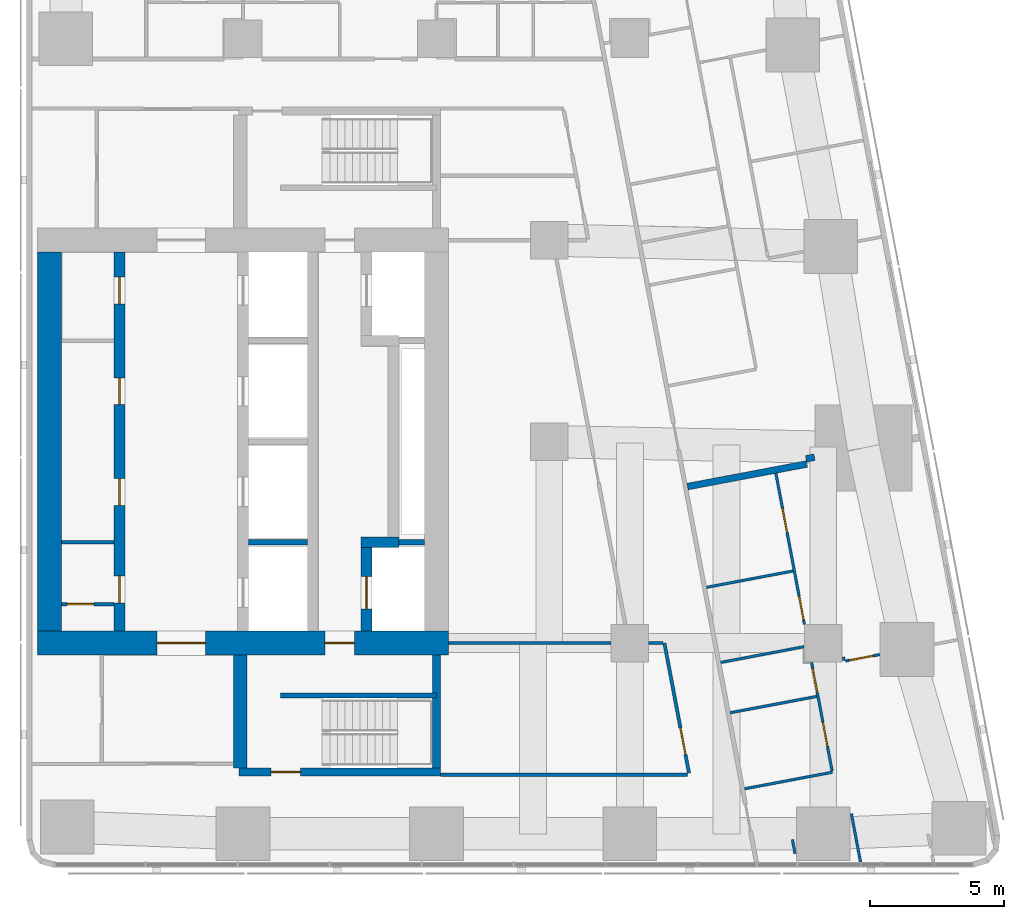
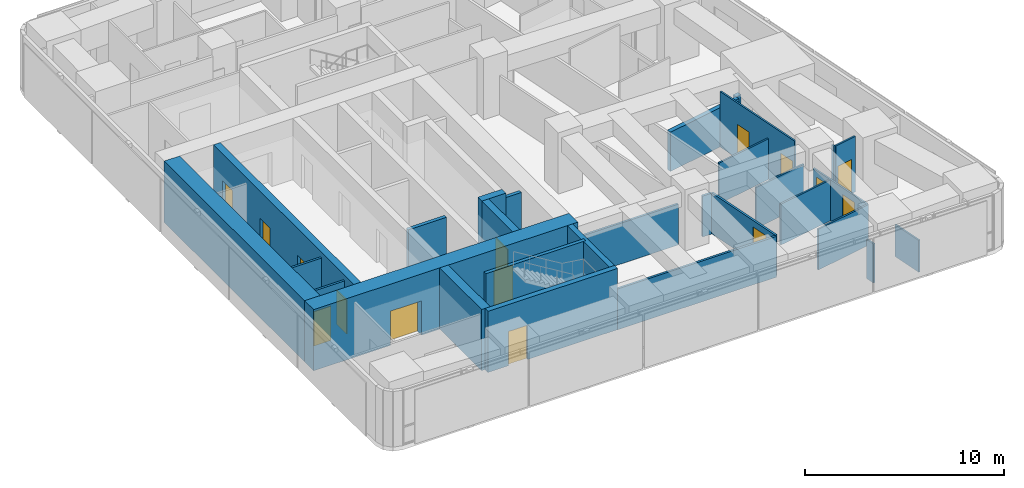
# One storey, part 5 of 10: 29 walls, 15 doors, 15 openings.
"""IFC4 building model written with IfcOpenShell, lengths in metres."""

from ifc_helpers import new_model, si_unit, direction, frame, frame_2d, origin, place, context, subcontext, project, spatial, rectangle, extrude, material, layer, layer_set, type_object, element, fill, save


model = new_model("IFC4")

# Units and contexts
model_context = context("Model", 3, precision=1e-05, world=origin(), true_north=direction((0.0, 1.0)))
body_context = subcontext(model_context, "Body", "Model", "MODEL_VIEW")
ifc_project = project(units=[si_unit("LENGTHUNIT", "METRE"), si_unit("AREAUNIT", "SQUARE_METRE"), si_unit("VOLUMEUNIT", "CUBIC_METRE"), si_unit("PLANEANGLEUNIT", "RADIAN"), si_unit("MASSUNIT", "GRAM", prefix="KILO")], contexts=[model_context])

# Site, building, storey
site_placement = place(None, origin())
site = spatial("IfcSite", under=ifc_project, at=site_placement, CompositionType="ELEMENT")
building_placement = place(site_placement, origin())
building = spatial("IfcBuilding", under=site, at=building_placement, Name="Sheger Commons Tower", CompositionType="ELEMENT")
storey_placement = place(building_placement, frame((0.0, 0.0, 292.85009765625)))
storey = spatial("IfcBuildingStorey", under=building, at=storey_placement, Name="L75", CompositionType="ELEMENT", Elevation=292.85009765625)

# Wall, openings, doors
ifc_material_1 = material(Name="Concrete C50/60", Category="concrete")
ifc_layer_1 = layer(ifc_material_1, 0.39990234375)
ifc_layer_set_1 = layer_set([ifc_layer_1], Name="CORE INNER WALL 400")
wall_type_1 = type_object("IfcWallType", Name="CORE INNER WALL 400", PredefinedType="SHEAR", material=ifc_layer_set_1)
wall_1_placement = place(storey_placement, frame((17.0, 15.449951171875, 0.0), z_axis=(0.0, 0.0, 1.0), x_axis=(0.0, 1.0, 0.0)))
wall_1 = element("IfcWall", 1, at=wall_1_placement, inside=storey, type_object=wall_type_1, Name="Core inner wall A L75", PredefinedType="SHEAR", context=body_context, shape_type="SweptSolid", body=[
    extrude(rectangle(XDim=14.10009765625, YDim=0.39990234375, at=frame_2d((7.050048828125, 0.0))), origin(), (0.0, 0.0, 1.0), 3.75),
])
opening_1_placement = place(wall_1_placement, frame((1.050048828125, 0.0, 0.0)))
opening_1 = element("IfcOpeningElement", 2, at=opening_1_placement, cuts=wall_1, Name="Opening D4", PredefinedType="OPENING", context=body_context, shape_type="SweptSolid", body=[
    extrude(rectangle(XDim=1.0, YDim=2.10009765625, at=frame_2d((0.5, 1.050048828125))), frame((0.0, 0.2099609375, 0.0), z_axis=(0.0, -1.0, 0.0), x_axis=(1.0, 0.0, 0.0)), (0.0, 0.0, 1.0), 0.419921875),
])
opening_2_placement = place(wall_1_placement, frame((4.675048828125, 0.0, 0.0)))
opening_2 = element("IfcOpeningElement", 3, at=opening_2_placement, cuts=wall_1, Name="Opening D4", PredefinedType="OPENING", context=body_context, shape_type="SweptSolid", body=[
    extrude(rectangle(XDim=1.0, YDim=2.10009765625, at=frame_2d((0.5, 1.050048828125))), frame((0.0, 0.2099609375, 0.0), z_axis=(0.0, -1.0, 0.0), x_axis=(1.0, 0.0, 0.0)), (0.0, 0.0, 1.0), 0.419921875),
])
opening_3_placement = place(wall_1_placement, frame((8.425048828125, 0.0, 0.0)))
opening_3 = element("IfcOpeningElement", 4, at=opening_3_placement, cuts=wall_1, Name="Opening D4", PredefinedType="OPENING", context=body_context, shape_type="SweptSolid", body=[
    extrude(rectangle(XDim=1.0, YDim=2.10009765625, at=frame_2d((0.5, 1.050048828125))), frame((0.0, 0.2099609375, 0.0), z_axis=(0.0, -1.0, 0.0), x_axis=(1.0, 0.0, 0.0)), (0.0, 0.0, 1.0), 0.419921875),
])
opening_4_placement = place(wall_1_placement, frame((12.175048828125, 0.0, 0.0)))
opening_4 = element("IfcOpeningElement", 5, at=opening_4_placement, cuts=wall_1, Name="Opening D4", PredefinedType="OPENING", context=body_context, shape_type="SweptSolid", body=[
    extrude(rectangle(XDim=1.0, YDim=2.10009765625, at=frame_2d((0.5, 1.050048828125))), frame((0.0, 0.2099609375, 0.0), z_axis=(0.0, -1.0, 0.0), x_axis=(1.0, 0.0, 0.0)), (0.0, 0.0, 1.0), 0.419921875),
])
ifc_material_2 = material(Name="Steel door set, fire rated", Category="steel")
door_type_1 = type_object("IfcDoorType", Name="SERVICE DOOR 1000x2100", OperationType="NOTDEFINED", PredefinedType="DOOR", material=ifc_material_2)
door_1_placement = place(opening_1_placement, origin())
door_1 = element("IfcDoor", 6, at=door_1_placement, inside=storey, type_object=door_type_1, Name="IT and telecom room door", OperationType="SINGLE_SWING_LEFT", OverallHeight=2.10009765625, OverallWidth=1.0, PredefinedType="DOOR", context=body_context, shape_type="SweptSolid", body=[
    extrude(rectangle(XDim=1.0, YDim=2.10009765625, at=frame_2d((0.5, 1.050048828125))), frame((0.0, 0.02490234375, 0.0), z_axis=(0.0, -1.0, 0.0), x_axis=(1.0, 0.0, 0.0)), (0.0, 0.0, 1.0), 0.050048828125),
])
fill(opening_1, door_1)
door_2_placement = place(opening_2_placement, origin())
door_2 = element("IfcDoor", 7, at=door_2_placement, inside=storey, type_object=door_type_1, Name="Recycling store door", OperationType="SINGLE_SWING_LEFT", OverallHeight=2.10009765625, OverallWidth=1.0, PredefinedType="DOOR", context=body_context, shape_type="SweptSolid", body=[
    extrude(rectangle(XDim=1.0, YDim=2.10009765625, at=frame_2d((0.5, 1.050048828125))), frame((0.0, 0.02490234375, 0.0), z_axis=(0.0, -1.0, 0.0), x_axis=(1.0, 0.0, 0.0)), (0.0, 0.0, 1.0), 0.050048828125),
])
fill(opening_2, door_2)
door_3_placement = place(opening_3_placement, origin())
door_3 = element("IfcDoor", 8, at=door_3_placement, inside=storey, type_object=door_type_1, Name="Recycling store door", OperationType="SINGLE_SWING_RIGHT", OverallHeight=2.10009765625, OverallWidth=1.0, PredefinedType="DOOR", context=body_context, shape_type="SweptSolid", body=[
    extrude(rectangle(XDim=1.0, YDim=2.10009765625, at=frame_2d((0.5, 1.050048828125))), frame((0.0, 0.02490234375, 0.0), z_axis=(0.0, -1.0, 0.0), x_axis=(1.0, 0.0, 0.0)), (0.0, 0.0, 1.0), 0.050048828125),
])
fill(opening_3, door_3)
door_4_placement = place(opening_4_placement, origin())
door_4 = element("IfcDoor", 9, at=door_4_placement, inside=storey, type_object=door_type_1, Name="Staff WC door", OperationType="SINGLE_SWING_RIGHT", OverallHeight=2.10009765625, OverallWidth=1.0, PredefinedType="DOOR", context=body_context, shape_type="SweptSolid", body=[
    extrude(rectangle(XDim=1.0, YDim=2.10009765625, at=frame_2d((0.5, 1.050048828125))), frame((0.0, 0.02490234375, 0.0), z_axis=(0.0, -1.0, 0.0), x_axis=(1.0, 0.0, 0.0)), (0.0, 0.0, 1.0), 0.050048828125),
])
fill(opening_4, door_4)

# Wall, opening, door
wall_2_placement = place(storey_placement, frame((26.199951171875, 15.449951171875, 0.0), z_axis=(0.0, 0.0, 1.0), x_axis=(0.0, 1.0, 0.0)))
wall_2 = element("IfcWall", 10, at=wall_2_placement, inside=storey, type_object=wall_type_1, Name="Core inner wall F L75", PredefinedType="SHEAR", context=body_context, shape_type="SweptSolid", body=[
    extrude(rectangle(XDim=3.10009765625, YDim=0.39990234375, at=frame_2d((1.550048828125, 0.0))), origin(), (0.0, 0.0, 1.0), 3.75),
])
opening_5_placement = place(wall_2_placement, frame((0.824951171875, 0.0, 0.0)))
opening_5 = element("IfcOpeningElement", 11, at=opening_5_placement, cuts=wall_2, Name="Opening LD2", PredefinedType="OPENING", context=body_context, shape_type="SweptSolid", body=[
    extrude(rectangle(XDim=1.199951171875, YDim=2.10009765625, at=frame_2d((0.60009765625, 1.050048828125))), frame((0.0, 0.2099609375, 0.0), z_axis=(0.0, -1.0, 0.0), x_axis=(1.0, 0.0, 0.0)), (0.0, 0.0, 1.0), 0.419921875),
])
ifc_material_3 = material(Name="Steel door set, fire rated", Category="steel")
door_type_2 = type_object("IfcDoorType", Name="FIREFIGHTING LIFT LANDING DOOR 1200x2100", OperationType="DOUBLE_DOOR_SLIDING", PredefinedType="DOOR", material=ifc_material_3)
door_5_placement = place(opening_5_placement, origin())
door_5 = element("IfcDoor", 12, at=door_5_placement, inside=storey, type_object=door_type_2, Name="Lift FL1 landing door", OperationType="DOUBLE_DOOR_SLIDING", OverallHeight=2.10009765625, OverallWidth=1.199951171875, PredefinedType="DOOR", context=body_context, shape_type="SweptSolid", body=[
    extrude(rectangle(XDim=1.199951171875, YDim=2.10009765625, at=frame_2d((0.60009765625, 1.050048828125))), frame((0.0, 0.02490234375, 0.0), z_axis=(0.0, -1.0, 0.0), x_axis=(1.0, 0.0, 0.0)), (0.0, 0.0, 1.0), 0.050048828125),
])
fill(opening_5, door_5)

# Wall
wall_3_placement = place(storey_placement, frame((26.0, 18.75, 0.0), z_axis=(0.0, 0.0, 1.0), x_axis=(1.0, 0.0, 0.0)))
element("IfcWall", 13, at=wall_3_placement, inside=storey, type_object=wall_type_1, Name="Core inner wall F south return L75", PredefinedType="SHEAR", context=body_context, shape_type="SweptSolid", body=[
    extrude(rectangle(XDim=1.39990234375, YDim=0.39990234375, at=frame_2d((0.699951171875, 0.0))), origin(), (0.0, 0.0, 1.0), 3.75),
])

# Wall, openings, doors
ifc_material_4 = material(Name="Concrete C50/60", Category="concrete")
ifc_layer_2 = layer(ifc_material_4, 0.89990234375)
ifc_layer_set_2 = layer_set([ifc_layer_2], Name="CORE WALL 900")
wall_type_2 = type_object("IfcWallType", Name="CORE WALL 900", PredefinedType="SHEAR", material=ifc_layer_set_2)
wall_4_placement = place(storey_placement, frame((13.949951171875, 15.0, 0.0), z_axis=(0.0, 0.0, 1.0), x_axis=(1.0, 0.0, 0.0)))
wall_4 = element("IfcWall", 14, at=wall_4_placement, inside=storey, type_object=wall_type_2, Name="Core wall south L75", PredefinedType="SHEAR", context=body_context, shape_type="SweptSolid", body=[
    extrude(rectangle(XDim=15.300048828125, YDim=0.89990234375, at=frame_2d((7.64990234375, 0.0))), origin(), (0.0, 0.0, 1.0), 3.75),
])
opening_6_placement = place(wall_4_placement, frame((4.449951171875, 0.0, 0.0)))
opening_6 = element("IfcOpeningElement", 15, at=opening_6_placement, cuts=wall_4, Name="Opening D6", PredefinedType="OPENING", context=body_context, shape_type="SweptSolid", body=[
    extrude(rectangle(XDim=1.800048828125, YDim=2.10009765625, at=frame_2d((0.89990234375, 1.050048828125))), frame((0.0, 0.4599609375, 0.0), z_axis=(0.0, -1.0, 0.0), x_axis=(1.0, 0.0, 0.0)), (0.0, 0.0, 1.0), 0.919921875),
])
opening_7_placement = place(wall_4_placement, frame((10.699951171875, 0.0, 0.0)))
opening_7 = element("IfcOpeningElement", 16, at=opening_7_placement, cuts=wall_4, Name="Opening D5", PredefinedType="OPENING", context=body_context, shape_type="SweptSolid", body=[
    extrude(rectangle(XDim=1.10009765625, YDim=2.10009765625, at=frame_2d((0.550048828125, 1.050048828125))), frame((0.0, 0.4599609375, 0.0), z_axis=(0.0, -1.0, 0.0), x_axis=(1.0, 0.0, 0.0)), (0.0, 0.0, 1.0), 0.919921875),
])
ifc_material_5 = material(Name="Steel door set, fire rated", Category="steel")
door_type_3 = type_object("IfcDoorType", Name="LOBBY DOUBLE DOOR 1800x2100", OperationType="DOUBLE_DOOR_SINGLE_SWING", PredefinedType="DOOR", material=ifc_material_5)
door_6_placement = place(opening_6_placement, origin())
door_6 = element("IfcDoor", 17, at=door_6_placement, inside=storey, type_object=door_type_3, Name="Lift lobby door", OperationType="DOUBLE_DOOR_SINGLE_SWING", OverallHeight=2.10009765625, OverallWidth=1.800048828125, PredefinedType="DOOR", context=body_context, shape_type="SweptSolid", body=[
    extrude(rectangle(XDim=1.800048828125, YDim=2.10009765625, at=frame_2d((0.89990234375, 1.050048828125))), frame((0.0, 0.02490234375, 0.0), z_axis=(0.0, -1.0, 0.0), x_axis=(1.0, 0.0, 0.0)), (0.0, 0.0, 1.0), 0.050048828125),
])
fill(opening_6, door_6)
ifc_material_6 = material(Name="Steel door set, fire rated", Category="steel")
door_type_4 = type_object("IfcDoorType", Name="STAIR DOOR 1100x2100", OperationType="NOTDEFINED", PredefinedType="DOOR", material=ifc_material_6)
door_7_placement = place(opening_7_placement, origin())
door_7 = element("IfcDoor", 18, at=door_7_placement, inside=storey, type_object=door_type_4, Name="Fire-fighting lobby door", OperationType="SINGLE_SWING_RIGHT", OverallHeight=2.10009765625, OverallWidth=1.10009765625, PredefinedType="DOOR", context=body_context, shape_type="SweptSolid", body=[
    extrude(rectangle(XDim=1.10009765625, YDim=2.10009765625, at=frame_2d((0.550048828125, 1.050048828125))), frame((0.0, 0.02490234375, 0.0), z_axis=(0.0, -1.0, 0.0), x_axis=(1.0, 0.0, 0.0)), (0.0, 0.0, 1.0), 0.050048828125),
])
fill(opening_7, door_7)

# Walls
wall_5_placement = place(storey_placement, frame((14.39990234375, 15.449951171875, 0.0), z_axis=(0.0, 0.0, 1.0), x_axis=(0.0, 1.0, 0.0)))
element("IfcWall", 19, at=wall_5_placement, inside=storey, type_object=wall_type_2, Name="Core wall west L75", PredefinedType="SHEAR", context=body_context, shape_type="SweptSolid", body=[
    extrude(rectangle(XDim=14.10009765625, YDim=0.89990234375, at=frame_2d((7.050048828125, 0.0))), origin(), (0.0, 0.0, 1.0), 3.75),
])
ifc_material_7 = material(Name="Dense concrete block masonry, plastered both sides (separating wall between flats)", Category="masonry")
ifc_layer_3 = layer(ifc_material_7, 0.25)
ifc_layer_set_3 = layer_set([ifc_layer_3], Name="DEMISING WALL 250")
wall_type_3 = type_object("IfcWallType", Name="DEMISING WALL 250", PredefinedType="SOLIDWALL", material=ifc_layer_set_3)
wall_6_placement = place(storey_placement, frame((42.873046875, 21.91796875, 0.0), z_axis=(0.0, 0.0, 1.0), x_axis=(-0.982431406936, -0.186624035603, 0.0)))
element("IfcWall", 20, at=wall_6_placement, inside=storey, type_object=wall_type_3, Name="Demising wall L75", PredefinedType="SOLIDWALL", context=body_context, shape_type="SweptSolid", body=[
    extrude(rectangle(XDim=0.32177734375, YDim=0.25, at=frame_2d((0.160888671875, 0.0))), origin(), (0.0, 0.0, 1.0), 2.39990234375),
])
wall_7_placement = place(storey_placement, frame((42.593017578125, 21.6650390625, 0.0), z_axis=(0.0, 0.0, 1.0), x_axis=(-0.982612837616, -0.185666398014, 0.0)))
element("IfcWall", 21, at=wall_7_placement, inside=storey, type_object=wall_type_3, Name="Demising wall L75", PredefinedType="SOLIDWALL", context=body_context, shape_type="SweptSolid", body=[
    extrude(rectangle(XDim=4.524658203125, YDim=0.25, at=frame_2d((2.26220703125, 0.0))), origin(), (0.0, 0.0, 1.0), 2.39990234375),
])
ifc_material_8 = material(Name="Gypsum board on steel studs", Category="steel")
ifc_layer_4 = layer(ifc_material_8, 0.10009765625)
ifc_layer_set_4 = layer_set([ifc_layer_4], Name="PARTITION 100")
wall_type_4 = type_object("IfcWallType", Name="PARTITION 100", PredefinedType="PARTITIONING", material=ifc_layer_set_4)
wall_8_placement = place(storey_placement, frame((44.248046875, 8.64599609375, 0.0), z_axis=(0.0, 0.0, 1.0), x_axis=(0.185417594585, -0.982659816833, 0.0)))
element("IfcWall", 22, at=wall_8_placement, inside=storey, type_object=wall_type_4, Name="Partition L75", PredefinedType="PARTITIONING", context=body_context, shape_type="SweptSolid", body=[
    extrude(rectangle(XDim=1.82763671875, YDim=0.10009765625, at=frame_2d((0.913818359375, 0.0))), origin(), (0.0, 0.0, 1.0), 1.949951171875),
])
wall_9_placement = place(storey_placement, frame((42.15087890625, 7.159912109375, 0.0), z_axis=(0.0, 0.0, 1.0), x_axis=(-0.185366164644, 0.982669519729, 0.0)))
element("IfcWall", 23, at=wall_9_placement, inside=storey, type_object=wall_type_4, Name="Partition L75", PredefinedType="PARTITIONING", context=body_context, shape_type="SweptSolid", body=[
    extrude(rectangle(XDim=0.533447265625, YDim=0.10009765625, at=frame_2d((0.2666015625, 0.0))), origin(), (0.0, 0.0, 1.0), 2.39990234375),
])

# Wall, opening, door
wall_10_placement = place(storey_placement, frame((45.303955078125, 14.572021484375, 0.0), z_axis=(0.0, 0.0, 1.0), x_axis=(-0.982602741717, -0.185719821156, 0.0)))
wall_10 = element("IfcWall", 24, at=wall_10_placement, inside=storey, type_object=wall_type_4, Name="Partition L75", PredefinedType="PARTITIONING", context=body_context, shape_type="SweptSolid", body=[
    extrude(rectangle(XDim=1.29736328125, YDim=0.10009765625, at=frame_2d((0.648681640625, 0.0))), origin(), (0.0, 0.0, 1.0), 3.39990234375),
])
opening_8_placement = place(wall_10_placement, frame((0.248046875, 0.0, 0.0)))
opening_8 = element("IfcOpeningElement", 25, at=opening_8_placement, cuts=wall_10, Name="Opening D2", PredefinedType="OPENING", context=body_context, shape_type="SweptSolid", body=[
    extrude(rectangle(XDim=0.89990234375, YDim=2.10009765625, at=frame_2d((0.449951171875, 1.050048828125))), frame((0.0, 0.06005859375, 0.0), z_axis=(0.0, -1.0, 0.0), x_axis=(1.0, 0.0, 0.0)), (0.0, 0.0, 1.0), 0.1201171875),
])
ifc_material_9 = material(Name="Timber door set", Category="wood")
door_type_5 = type_object("IfcDoorType", Name="INTERNAL DOOR 900x2100", OperationType="NOTDEFINED", PredefinedType="DOOR", material=ifc_material_9)
door_8_placement = place(opening_8_placement, origin())
door_8 = element("IfcDoor", 26, at=door_8_placement, inside=storey, type_object=door_type_5, Name="Main bedroom door", OperationType="SINGLE_SWING_LEFT", OverallHeight=2.10009765625, OverallWidth=0.89990234375, PredefinedType="DOOR", context=body_context, shape_type="SweptSolid", body=[
    extrude(rectangle(XDim=0.89990234375, YDim=2.10009765625, at=frame_2d((0.449951171875, 1.050048828125))), frame((0.0, 0.02490234375, 0.0), z_axis=(0.0, -1.0, 0.0), x_axis=(1.0, 0.0, 0.0)), (0.0, 0.0, 1.0), 0.050048828125),
])
fill(opening_8, door_8)

# Walls
wall_11_placement = place(storey_placement, frame((43.948974609375, 14.485107421875, 0.0), z_axis=(0.0, 0.0, 1.0), x_axis=(0.188651210932, -0.982044154106, 0.0)))
element("IfcWall", 27, at=wall_11_placement, inside=storey, type_object=wall_type_4, Name="Partition L75", PredefinedType="PARTITIONING", context=body_context, shape_type="SweptSolid", body=[
    extrude(rectangle(XDim=0.138427734375, YDim=0.10009765625, at=frame_2d((0.0693359375, 0.0))), origin(), (0.0, 0.0, 1.0), 3.39990234375),
])
wall_12_placement = place(storey_placement, frame((42.072998046875, 17.681884765625, 0.0), z_axis=(0.0, 0.0, 1.0), x_axis=(-0.982620626894, -0.185625169636, 0.0)))
element("IfcWall", 28, at=wall_12_placement, inside=storey, type_object=wall_type_4, Name="Partition L75", PredefinedType="PARTITIONING", context=body_context, shape_type="SweptSolid", body=[
    extrude(rectangle(XDim=3.27490234375, YDim=0.10009765625, at=frame_2d((1.637451171875, 0.0))), origin(), (0.0, 0.0, 1.0), 2.5),
])
wall_13_placement = place(storey_placement, frame((42.489990234375, 14.865966796875, 0.0), z_axis=(0.0, 0.0, 1.0), x_axis=(-0.982621285075, -0.185621685472, 0.0)))
element("IfcWall", 29, at=wall_13_placement, inside=storey, type_object=wall_type_4, Name="Partition L75", PredefinedType="PARTITIONING", context=body_context, shape_type="SweptSolid", body=[
    extrude(rectangle(XDim=3.161865234375, YDim=0.10009765625, at=frame_2d((1.5810546875, 0.0))), origin(), (0.0, 0.0, 1.0), 2.5),
])
wall_14_placement = place(storey_placement, frame((42.9560546875, 13.011962890625, 0.0), z_axis=(0.0, 0.0, 1.0), x_axis=(-0.982630897129, -0.185570795135, 0.0)))
element("IfcWall", 30, at=wall_14_placement, inside=storey, type_object=wall_type_4, Name="Partition L75", PredefinedType="PARTITIONING", context=body_context, shape_type="SweptSolid", body=[
    extrude(rectangle(XDim=3.27587890625, YDim=0.10009765625, at=frame_2d((1.637939453125, 0.0))), origin(), (0.0, 0.0, 1.0), 2.5),
])
wall_15_placement = place(storey_placement, frame((43.5390625, 10.19189453125, 0.0), z_axis=(0.0, 0.0, 1.0), x_axis=(-0.982633623707, -0.185556356831, 0.0)))
element("IfcWall", 31, at=wall_15_placement, inside=storey, type_object=wall_type_4, Name="Partition L75", PredefinedType="PARTITIONING", context=body_context, shape_type="SweptSolid", body=[
    extrude(rectangle(XDim=3.324951171875, YDim=0.10009765625, at=frame_2d((1.66259765625, 0.0))), origin(), (0.0, 0.0, 1.0), 2.5),
])

# Wall, openings, doors
wall_16_placement = place(storey_placement, frame((41.43701171875, 21.319091796875, 0.0), z_axis=(0.0, 0.0, 1.0), x_axis=(0.185742368638, -0.982598479794, 0.0)))
wall_16 = element("IfcWall", 32, at=wall_16_placement, inside=storey, type_object=wall_type_4, Name="Partition L75", PredefinedType="PARTITIONING", context=body_context, shape_type="SweptSolid", body=[
    extrude(rectangle(XDim=5.7177734375, YDim=0.10009765625, at=frame_2d((2.85888671875, 0.0))), origin(), (0.0, 0.0, 1.0), 3.39990234375),
])
opening_9_placement = place(wall_16_placement, frame((1.3330078125, 0.0, 0.0)))
opening_9 = element("IfcOpeningElement", 33, at=opening_9_placement, cuts=wall_16, Name="Opening D2", PredefinedType="OPENING", context=body_context, shape_type="SweptSolid", body=[
    extrude(rectangle(XDim=0.89990234375, YDim=2.10009765625, at=frame_2d((0.449951171875, 1.050048828125))), frame((0.0, 0.06005859375, 0.0), z_axis=(0.0, -1.0, 0.0), x_axis=(1.0, 0.0, 0.0)), (0.0, 0.0, 1.0), 0.1201171875),
])
opening_10_placement = place(wall_16_placement, frame((4.6640625, 0.0, 0.0)))
opening_10 = element("IfcOpeningElement", 34, at=opening_10_placement, cuts=wall_16, Name="Opening D2", PredefinedType="OPENING", context=body_context, shape_type="SweptSolid", body=[
    extrude(rectangle(XDim=0.89990234375, YDim=2.10009765625, at=frame_2d((0.449951171875, 1.050048828125))), frame((0.0, 0.06005859375, 0.0), z_axis=(0.0, -1.0, 0.0), x_axis=(1.0, 0.0, 0.0)), (0.0, 0.0, 1.0), 0.1201171875),
])
door_9_placement = place(opening_9_placement, origin())
door_9 = element("IfcDoor", 35, at=door_9_placement, inside=storey, type_object=door_type_5, Name="En-suite door", OperationType="SINGLE_SWING_RIGHT", OverallHeight=2.10009765625, OverallWidth=0.89990234375, PredefinedType="DOOR", context=body_context, shape_type="SweptSolid", body=[
    extrude(rectangle(XDim=0.89990234375, YDim=2.10009765625, at=frame_2d((0.449951171875, 1.050048828125))), frame((0.0, 0.02490234375, 0.0), z_axis=(0.0, -1.0, 0.0), x_axis=(1.0, 0.0, 0.0)), (0.0, 0.0, 1.0), 0.050048828125),
])
fill(opening_9, door_9)
door_10_placement = place(opening_10_placement, origin())
door_10 = element("IfcDoor", 36, at=door_10_placement, inside=storey, type_object=door_type_5, Name="Dressing room door", OperationType="SINGLE_SWING_LEFT", OverallHeight=2.10009765625, OverallWidth=0.89990234375, PredefinedType="DOOR", context=body_context, shape_type="SweptSolid", body=[
    extrude(rectangle(XDim=0.89990234375, YDim=2.10009765625, at=frame_2d((0.449951171875, 1.050048828125))), frame((0.0, 0.02490234375, 0.0), z_axis=(0.0, -1.0, 0.0), x_axis=(1.0, 0.0, 0.0)), (0.0, 0.0, 1.0), 0.050048828125),
])
fill(opening_10, door_10)

wall_17_placement = place(storey_placement, frame((42.764892578125, 14.2900390625, 0.0), z_axis=(0.0, 0.0, 1.0), x_axis=(0.185679870644, -0.982610291844, 0.0)))
wall_17 = element("IfcWall", 37, at=wall_17_placement, inside=storey, type_object=wall_type_4, Name="Partition L75", PredefinedType="PARTITIONING", context=body_context, shape_type="SweptSolid", body=[
    extrude(rectangle(XDim=4.120849609375, YDim=0.10009765625, at=frame_2d((2.060546875, 0.0))), origin(), (0.0, 0.0, 1.0), 2.5),
])
opening_11_placement = place(wall_17_placement, frame((0.25, 0.0, 0.0)))
opening_11 = element("IfcOpeningElement", 38, at=opening_11_placement, cuts=wall_17, Name="Opening D2", PredefinedType="OPENING", context=body_context, shape_type="SweptSolid", body=[
    extrude(rectangle(XDim=0.89990234375, YDim=2.10009765625, at=frame_2d((0.449951171875, 1.050048828125))), frame((0.0, 0.06005859375, 0.0), z_axis=(0.0, -1.0, 0.0), x_axis=(1.0, 0.0, 0.0)), (0.0, 0.0, 1.0), 0.1201171875),
])
opening_12_placement = place(wall_17_placement, frame((2.280029296875, 0.0, 0.0)))
opening_12 = element("IfcOpeningElement", 39, at=opening_12_placement, cuts=wall_17, Name="Opening D2", PredefinedType="OPENING", context=body_context, shape_type="SweptSolid", body=[
    extrude(rectangle(XDim=0.89990234375, YDim=2.10009765625, at=frame_2d((0.449951171875, 1.050048828125))), frame((0.0, 0.06005859375, 0.0), z_axis=(0.0, -1.0, 0.0), x_axis=(1.0, 0.0, 0.0)), (0.0, 0.0, 1.0), 0.1201171875),
])
door_11_placement = place(opening_11_placement, origin())
door_11 = element("IfcDoor", 40, at=door_11_placement, inside=storey, type_object=door_type_5, Name="Bathroom door", OperationType="SINGLE_SWING_RIGHT", OverallHeight=2.10009765625, OverallWidth=0.89990234375, PredefinedType="DOOR", context=body_context, shape_type="SweptSolid", body=[
    extrude(rectangle(XDim=0.89990234375, YDim=2.10009765625, at=frame_2d((0.449951171875, 1.050048828125))), frame((0.0, 0.02490234375, 0.0), z_axis=(0.0, -1.0, 0.0), x_axis=(1.0, 0.0, 0.0)), (0.0, 0.0, 1.0), 0.050048828125),
])
fill(opening_11, door_11)
door_12_placement = place(opening_12_placement, origin())
door_12 = element("IfcDoor", 41, at=door_12_placement, inside=storey, type_object=door_type_5, Name="Kitchen door", OperationType="SINGLE_SWING_LEFT", OverallHeight=2.10009765625, OverallWidth=0.89990234375, PredefinedType="DOOR", context=body_context, shape_type="SweptSolid", body=[
    extrude(rectangle(XDim=0.89990234375, YDim=2.10009765625, at=frame_2d((0.449951171875, 1.050048828125))), frame((0.0, 0.02490234375, 0.0), z_axis=(0.0, -1.0, 0.0), x_axis=(1.0, 0.0, 0.0)), (0.0, 0.0, 1.0), 0.050048828125),
])
fill(opening_12, door_12)

# Wall
ifc_material_10 = material(Name="Gypsum board on steel studs, two layers each side, fire rated", Category="steel")
ifc_layer_5 = layer(ifc_material_10, 0.125)
ifc_layer_set_5 = layer_set([ifc_layer_5], Name="SERVICE WALL 125")
wall_type_5 = type_object("IfcWallType", Name="SERVICE WALL 125", PredefinedType="PARTITIONING", material=ifc_layer_set_5)
wall_18_placement = place(storey_placement, frame((28.949951171875, 10.10009765625, 0.0), z_axis=(0.0, 0.0, 1.0), x_axis=(1.0, 0.0, 0.0)))
element("IfcWall", 42, at=wall_18_placement, inside=storey, type_object=wall_type_5, Name="Service room wall L75", PredefinedType="PARTITIONING", context=body_context, shape_type="SweptSolid", body=[
    extrude(rectangle(XDim=9.18798828125, YDim=0.125, at=frame_2d((4.593994140625, 0.0))), origin(), (0.0, 0.0, 1.0), 2.5),
])

# Wall, opening, door
wall_19_placement = place(storey_placement, frame((38.201904296875, 10.1630859375, 0.0), z_axis=(0.0, 0.0, 1.0), x_axis=(-0.185641892853, 0.982617467593, 0.0)))
wall_19 = element("IfcWall", 43, at=wall_19_placement, inside=storey, type_object=wall_type_5, Name="Service room wall L75", PredefinedType="PARTITIONING", context=body_context, shape_type="SweptSolid", body=[
    extrude(rectangle(XDim=4.92236328125, YDim=0.125, at=frame_2d((2.461181640625, 0.0))), origin(), (0.0, 0.0, 1.0), 2.5),
])
opening_13_placement = place(wall_19_placement, frame((0.7080078125, 0.0, 0.0)))
opening_13 = element("IfcOpeningElement", 44, at=opening_13_placement, cuts=wall_19, Name="Opening D4", PredefinedType="OPENING", context=body_context, shape_type="SweptSolid", body=[
    extrude(rectangle(XDim=1.0, YDim=2.10009765625, at=frame_2d((0.5, 1.050048828125))), frame((0.0, 0.072509765625, 0.0), z_axis=(0.0, -1.0, 0.0), x_axis=(1.0, 0.0, 0.0)), (0.0, 0.0, 1.0), 0.14501953125),
])
door_13_placement = place(opening_13_placement, origin())
door_13 = element("IfcDoor", 45, at=door_13_placement, inside=storey, type_object=door_type_1, Name="Parcel and delivery room door", OperationType="SINGLE_SWING_LEFT", OverallHeight=2.10009765625, OverallWidth=1.0, PredefinedType="DOOR", context=body_context, shape_type="SweptSolid", body=[
    extrude(rectangle(XDim=1.0, YDim=2.10009765625, at=frame_2d((0.5, 1.050048828125))), frame((0.0, 0.02490234375, 0.0), z_axis=(0.0, -1.0, 0.0), x_axis=(1.0, 0.0, 0.0)), (0.0, 0.0, 1.0), 0.050048828125),
])
fill(opening_13, door_13)

# Walls
wall_20_placement = place(storey_placement, frame((29.25, 15.0, 0.0), z_axis=(0.0, 0.0, 1.0), x_axis=(1.0, 0.0, 0.0)))
element("IfcWall", 46, at=wall_20_placement, inside=storey, type_object=wall_type_5, Name="Service room wall L75", PredefinedType="PARTITIONING", context=body_context, shape_type="SweptSolid", body=[
    extrude(rectangle(XDim=6.049072265625, YDim=0.125, at=frame_2d((3.0244140625, 0.0))), origin(), (0.0, 0.0, 1.0), 2.5),
])
wall_21_placement = place(storey_placement, frame((36.700927734375, 15.0, 0.0), z_axis=(0.0, 0.0, 1.0), x_axis=(1.0, 0.0, 0.0)))
element("IfcWall", 47, at=wall_21_placement, inside=storey, type_object=wall_type_5, Name="Service room wall L75", PredefinedType="PARTITIONING", context=body_context, shape_type="SweptSolid", body=[
    extrude(rectangle(XDim=0.526123046875, YDim=0.125, at=frame_2d((0.26318359375, 0.0))), origin(), (0.0, 0.0, 1.0), 2.5),
])

# Wall, opening, door
wall_22_placement = place(storey_placement, frame((14.85009765625, 16.449951171875, 0.0), z_axis=(0.0, 0.0, 1.0), x_axis=(1.0, 0.0, 0.0)))
wall_22 = element("IfcWall", 48, at=wall_22_placement, inside=storey, type_object=wall_type_5, Name="Service room wall L75", PredefinedType="PARTITIONING", context=body_context, shape_type="SweptSolid", body=[
    extrude(rectangle(XDim=1.949951171875, YDim=0.125, at=frame_2d((0.97509765625, 0.0))), origin(), (0.0, 0.0, 1.0), 3.39990234375),
])
opening_14_placement = place(wall_22_placement, frame((0.199951171875, 0.0, 0.0)))
opening_14 = element("IfcOpeningElement", 49, at=opening_14_placement, cuts=wall_22, Name="Opening D4", PredefinedType="OPENING", context=body_context, shape_type="SweptSolid", body=[
    extrude(rectangle(XDim=1.0, YDim=2.10009765625, at=frame_2d((0.5, 1.050048828125))), frame((0.0, 0.072509765625, 0.0), z_axis=(0.0, -1.0, 0.0), x_axis=(1.0, 0.0, 0.0)), (0.0, 0.0, 1.0), 0.14501953125),
])
door_14_placement = place(opening_14_placement, origin())
door_14 = element("IfcDoor", 50, at=door_14_placement, inside=storey, type_object=door_type_1, Name="Electrical riser door", OperationType="SINGLE_SWING_RIGHT", OverallHeight=2.10009765625, OverallWidth=1.0, PredefinedType="DOOR", context=body_context, shape_type="SweptSolid", body=[
    extrude(rectangle(XDim=1.0, YDim=2.10009765625, at=frame_2d((0.5, 1.050048828125))), frame((0.0, 0.02490234375, 0.0), z_axis=(0.0, -1.0, 0.0), x_axis=(1.0, 0.0, 0.0)), (0.0, 0.0, 1.0), 0.050048828125),
])
fill(opening_14, door_14)

# Walls
wall_23_placement = place(storey_placement, frame((14.85009765625, 18.75, 0.0), z_axis=(0.0, 0.0, 1.0), x_axis=(1.0, 0.0, 0.0)))
element("IfcWall", 51, at=wall_23_placement, inside=storey, type_object=wall_type_5, Name="Service room wall L75", PredefinedType="PARTITIONING", context=body_context, shape_type="SweptSolid", body=[
    extrude(rectangle(XDim=1.949951171875, YDim=0.125, at=frame_2d((0.97509765625, 0.0))), origin(), (0.0, 0.0, 1.0), 3.39990234375),
])
ifc_material_11 = material(Name="Hollow concrete block masonry", Category="masonry")
ifc_layer_6 = layer(ifc_material_11, 0.199951171875)
ifc_layer_set_6 = layer_set([ifc_layer_6], Name="SHAFT WALL 200")
wall_type_6 = type_object("IfcWallType", Name="SHAFT WALL 200", PredefinedType="SOLIDWALL", material=ifc_layer_set_6)
wall_24_placement = place(storey_placement, frame((21.800048828125, 18.75, 0.0), z_axis=(0.0, 0.0, 1.0), x_axis=(1.0, 0.0, 0.0)))
element("IfcWall", 52, at=wall_24_placement, inside=storey, type_object=wall_type_6, Name="Lift shaft wall L75", PredefinedType="SOLIDWALL", context=body_context, shape_type="SweptSolid", body=[
    extrude(rectangle(XDim=2.199951171875, YDim=0.199951171875, at=frame_2d((1.10009765625, 0.0))), origin(), (0.0, 0.0, 1.0), 3.39990234375),
])
wall_25_placement = place(storey_placement, frame((27.39990234375, 18.75, 0.0), z_axis=(0.0, 0.0, 1.0), x_axis=(1.0, 0.0, 0.0)))
element("IfcWall", 53, at=wall_25_placement, inside=storey, type_object=wall_type_6, Name="Lift shaft wall L75", PredefinedType="SOLIDWALL", context=body_context, shape_type="SweptSolid", body=[
    extrude(rectangle(XDim=0.9501953125, YDim=0.199951171875, at=frame_2d((0.47509765625, 0.0))), origin(), (0.0, 0.0, 1.0), 3.39990234375),
])

# Wall, opening, door
ifc_material_12 = material(Name="Concrete C50/60", Category="concrete")
ifc_layer_7 = layer(ifc_material_12, 0.300048828125)
ifc_layer_set_7 = layer_set([ifc_layer_7], Name="STAIR CORE WALL 300")
wall_type_7 = type_object("IfcWallType", Name="STAIR CORE WALL 300", PredefinedType="SHEAR", material=ifc_layer_set_7)
wall_26_placement = place(storey_placement, frame((21.449951171875, 10.199951171875, 0.0), z_axis=(0.0, 0.0, 1.0), x_axis=(1.0, 0.0, 0.0)))
wall_26 = element("IfcWall", 54, at=wall_26_placement, inside=storey, type_object=wall_type_7, Name="STW-L75-S1S", PredefinedType="SHEAR", context=body_context, shape_type="SweptSolid", body=[
    extrude(rectangle(XDim=7.5, YDim=0.300048828125, at=frame_2d((3.75, 0.0))), origin(), (0.0, 0.0, 1.0), 3.75),
])
opening_15_placement = place(wall_26_placement, frame((1.199951171875, 0.0, 0.0)))
opening_15 = element("IfcOpeningElement", 55, at=opening_15_placement, cuts=wall_26, Name="Opening D5", PredefinedType="OPENING", context=body_context, shape_type="SweptSolid", body=[
    extrude(rectangle(XDim=1.10009765625, YDim=2.10009765625, at=frame_2d((0.550048828125, 1.050048828125))), frame((0.0, 0.159912109375, 0.0), z_axis=(0.0, -1.0, 0.0), x_axis=(1.0, 0.0, 0.0)), (0.0, 0.0, 1.0), 0.320068359375),
])
door_15_placement = place(opening_15_placement, origin())
door_15 = element("IfcDoor", 56, at=door_15_placement, inside=storey, type_object=door_type_4, Name="Stair S1 door", OperationType="SINGLE_SWING_LEFT", OverallHeight=2.10009765625, OverallWidth=1.10009765625, PredefinedType="DOOR", context=body_context, shape_type="SweptSolid", body=[
    extrude(rectangle(XDim=1.10009765625, YDim=2.10009765625, at=frame_2d((0.550048828125, 1.050048828125))), frame((0.0, 0.02490234375, 0.0), z_axis=(0.0, -1.0, 0.0), x_axis=(1.0, 0.0, 0.0)), (0.0, 0.0, 1.0), 0.050048828125),
])
fill(opening_15, door_15)

# Walls
wall_27_placement = place(storey_placement, frame((28.800048828125, 10.35009765625, 0.0), z_axis=(0.0, 0.0, 1.0), x_axis=(0.0, 1.0, 0.0)))
element("IfcWall", 57, at=wall_27_placement, inside=storey, type_object=wall_type_7, Name="STW-L75-S1E", PredefinedType="SHEAR", context=body_context, shape_type="SweptSolid", body=[
    extrude(rectangle(XDim=4.199951171875, YDim=0.300048828125, at=frame_2d((2.10009765625, 0.0))), origin(), (0.0, 0.0, 1.0), 3.75),
])
ifc_material_13 = material(Name="Concrete C50/60", Category="concrete")
ifc_layer_8 = layer(ifc_material_13, 0.5)
ifc_layer_set_8 = layer_set([ifc_layer_8], Name="STAIR CORE WALL 500")
wall_type_8 = type_object("IfcWallType", Name="STAIR CORE WALL 500", PredefinedType="SHEAR", material=ifc_layer_set_8)
wall_28_placement = place(storey_placement, frame((21.5, 10.35009765625, 0.0), z_axis=(0.0, 0.0, 1.0), x_axis=(0.0, 1.0, 0.0)))
element("IfcWall", 58, at=wall_28_placement, inside=storey, type_object=wall_type_8, Name="STW-L75-S1W", PredefinedType="SHEAR", context=body_context, shape_type="SweptSolid", body=[
    extrude(rectangle(XDim=4.199951171875, YDim=0.5, at=frame_2d((2.10009765625, 0.0))), origin(), (0.0, 0.0, 1.0), 3.75),
])
ifc_material_14 = material(Name="Concrete C50/60", Category="concrete")
ifc_layer_9 = layer(ifc_material_14, 0.199951171875)
ifc_layer_set_9 = layer_set([ifc_layer_9], Name="STAIR SPINE WALL 200")
wall_type_9 = type_object("IfcWallType", Name="STAIR SPINE WALL 200", PredefinedType="SHEAR", material=ifc_layer_set_9)
wall_29_placement = place(storey_placement, frame((23.0, 13.050048828125, 0.0), z_axis=(0.0, 0.0, 1.0), x_axis=(1.0, 0.0, 0.0)))
element("IfcWall", 59, at=wall_29_placement, inside=storey, type_object=wall_type_9, Name="Stair spine wall L75", PredefinedType="SHEAR", context=body_context, shape_type="SweptSolid", body=[
    extrude(rectangle(XDim=5.800048828125, YDim=0.199951171875, at=frame_2d((2.89990234375, 0.0))), origin(), (0.0, 0.0, 1.0), 3.75),
])

save(model, "model.ifc")
